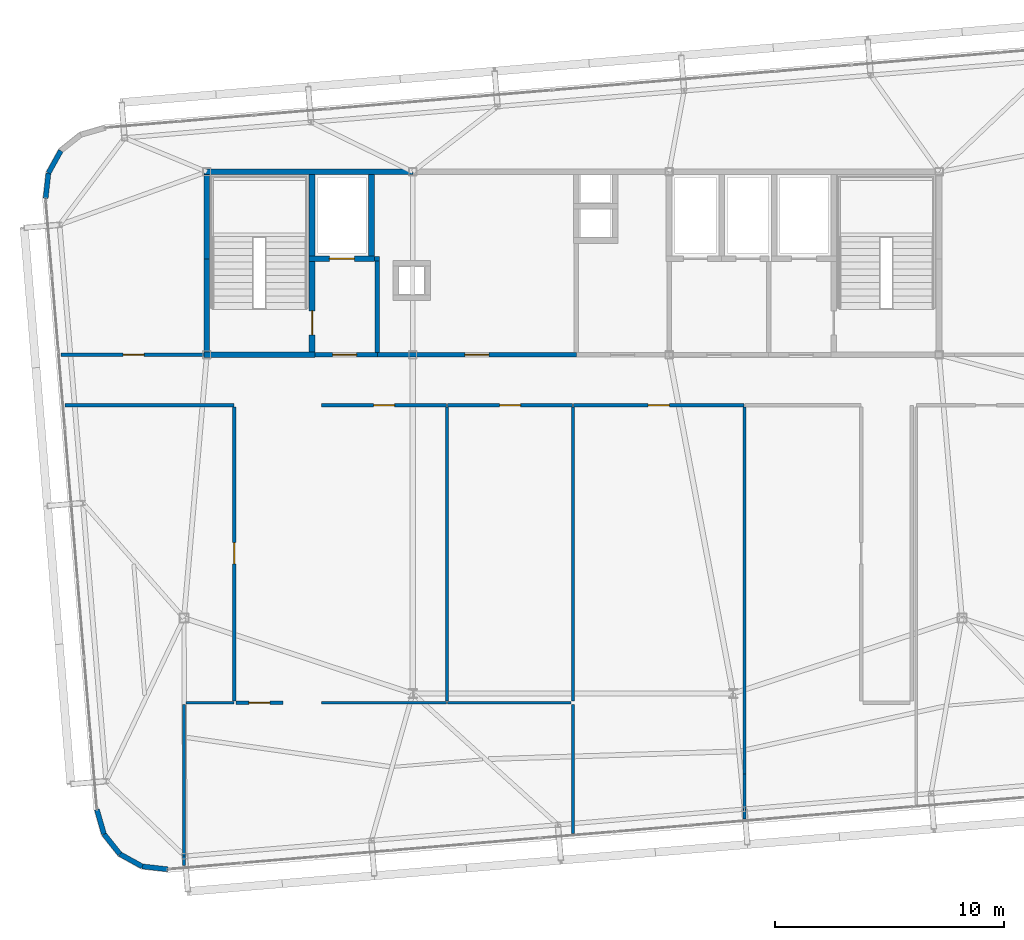
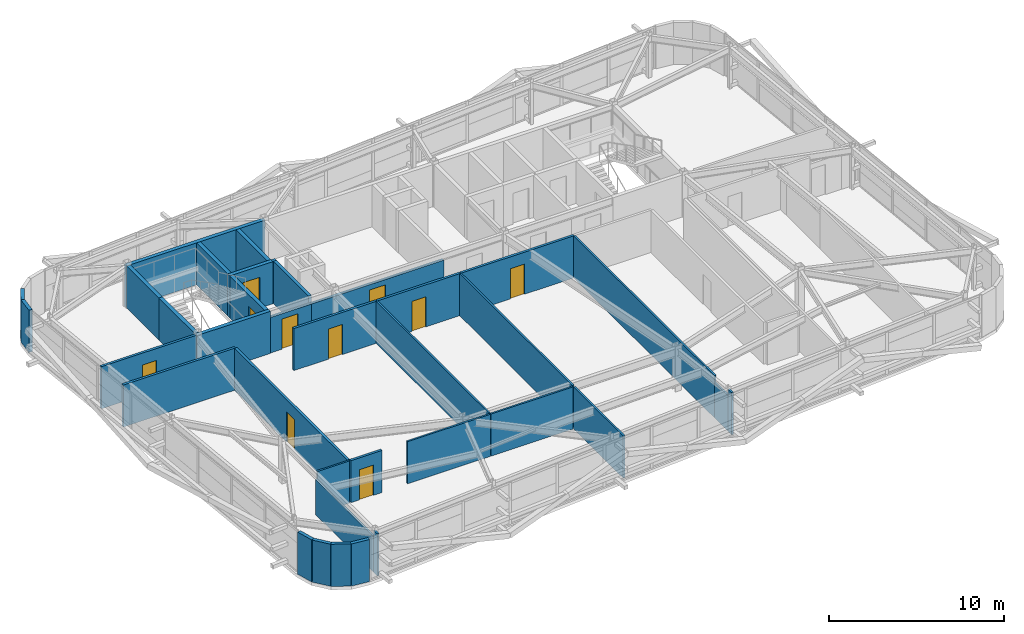
# One storey, part 42 of 46: 36 walls, 10 doors, 10 openings.
"""IFC4 building model written with IfcOpenShell, lengths in metres."""

from ifc_helpers import new_model, si_unit, direction, frame, frame_2d, origin, place, context, subcontext, project, spatial, rectangle, extrude, source, transform, mapped, material, layer, layer_set, type_object, element, fill, save


model = new_model("IFC4")

# Units and contexts
model_context = context("Model", 3, precision=1e-05, world=origin(), true_north=direction((0.0, 1.0)))
body_context = subcontext(model_context, "Body", "Model", "MODEL_VIEW")
ifc_project = project(units=[si_unit("LENGTHUNIT", "METRE"), si_unit("AREAUNIT", "SQUARE_METRE"), si_unit("VOLUMEUNIT", "CUBIC_METRE"), si_unit("PLANEANGLEUNIT", "RADIAN"), si_unit("MASSUNIT", "GRAM", prefix="KILO")], contexts=[model_context])

# Site, building, storey
site_placement = place(None, origin())
site = spatial("IfcSite", under=ifc_project, at=site_placement, CompositionType="ELEMENT")
building_placement = place(site_placement, origin())
building = spatial("IfcBuilding", under=site, at=building_placement, Name="Taldren Reach Tower", CompositionType="ELEMENT")
storey_placement = place(building_placement, frame((0.0, 0.0, 188.300048828125)))
storey = spatial("IfcBuildingStorey", under=building, at=storey_placement, Name="L57", CompositionType="ELEMENT", Elevation=188.300048828125)

# Walls
ifc_material_1 = material(Name="Pale Champagne Anodised Aluminium Cladding", Category="aluminium")
ifc_layer_1 = layer(ifc_material_1, 0.04, Name="Pale Champagne Anodised Aluminium Cladding", Category="aluminium")
ifc_material_2 = material(Name="Mineral Wool Acoustic Insulation", Category="insulation")
ifc_layer_2 = layer(ifc_material_2, 0.06, Name="Mineral Wool Acoustic Insulation", Category="insulation")
ifc_material_3 = material(Name="Steel Gr 350 (C350L0)", Category="steel")
ifc_layer_3 = layer(ifc_material_3, 0.12, Name="Steel Gr 350 (C350L0)", Category="steel")
ifc_layer_set_1 = layer_set([ifc_layer_1, ifc_layer_2, ifc_layer_3], Name="Pale Champagne Aluminium Cladding and Steel Gr 350 Stud Framing")
wall_type_1 = type_object("IfcWallType", Name="EW-CRN-220", PredefinedType="SOLIDWALL", material=ifc_layer_set_1)
shared_shape_1 = source(origin(), body_context, "Body", "SweptSolid", [
    extrude(rectangle(XDim=1.115966796875, YDim=0.219970703125, at=frame_2d((0.55810546875, 0.0))), origin(), (0.0, 0.0, 1.0), 2.929931640625),
])
for number, where, z_axis, x_axis, name in (
    (1, (12.618896484375, 32.9208984375, 0.0), (0.0, 0.0, 1.0), (-0.484100585842, -0.875012355791, 0.0), "Rounded-corner pale-metal facade wall L57-NW3"),
    (2, (12.07861328125, 31.9443359375, 0.0), (0.0, 0.0, 1.0), (-0.112232247342, -0.993682002784, 0.0), "Rounded-corner pale-metal facade wall L57-NW4"),
    (3, (14.19580078125, 4.129638671875, 0.0), (0.0, 0.0, 1.0), (0.276512002475, -0.961010464297, 0.0), "Rounded-corner pale-metal facade wall L57-SW1"),
    (4, (14.50439453125, 3.05712890625, 0.0), (0.0, 0.0, 1.0), (0.623092886403, -0.782147847222, 0.0), "Rounded-corner pale-metal facade wall L57-SW2"),
    (5, (15.19970703125, 2.184326171875, 0.0), (0.0, 0.0, 1.0), (0.875105012065, -0.483933071672, 0.0), "Rounded-corner pale-metal facade wall L57-SW3"),
    (6, (16.17626953125, 1.644287109375, 0.0), (0.0, 0.0, 1.0), (0.993657581277, -0.112448259968, 0.0), "Rounded-corner pale-metal facade wall L57-SW4"),
):
    element("IfcWall", number, at=place(storey_placement, frame(where, z_axis=z_axis, x_axis=x_axis)), inside=storey, type_object=wall_type_1, Name=name, PredefinedType="SOLIDWALL", context=body_context, shape_type="MappedRepresentation", body=[
        mapped(shared_shape_1, transform((0.0, 0.0, 0.0), scale=1.0)),
    ])

# Wall, opening, door
ifc_material_4 = material(Name="Fire-Rated Acoustic Plasterboard Stud Wall", Category="gypsum")
ifc_layer_4 = layer(ifc_material_4, 0.159912109375)
ifc_layer_set_2 = layer_set([ifc_layer_4], Name="Fire-Rated Acoustic Plasterboard Stud Wall")
wall_type_2 = type_object("IfcWallType", Name="IW-FIRE-160", PredefinedType="PARTITIONING", material=ifc_layer_set_2)
shared_shape_2 = source(origin(), body_context, "Body", "SweptSolid", [
    extrude(rectangle(XDim=2.0400390625, YDim=0.159912109375, at=frame_2d((1.02001953125, 0.0))), origin(), (0.0, 0.0, 1.0), 2.929931640625),
])
wall_1_placement = place(storey_placement, frame((22.320068359375, 8.800048828125, 0.0), z_axis=(0.0, 0.0, 1.0), x_axis=(-1.0, 0.0, 0.0)))
wall_1 = element("IfcWall", 7, at=wall_1_placement, inside=storey, type_object=wall_type_2, Name="Interior Partition Wall W-INT-L57-034", PredefinedType="PARTITIONING", context=body_context, shape_type="MappedRepresentation", body=[
    mapped(shared_shape_2, transform((0.0, 0.0, 0.0), scale=1.0)),
])
shared_shape_3 = source(origin(), body_context, "Body", "SweptSolid", [
    extrude(rectangle(XDim=0.919921875, YDim=2.10009765625, at=frame_2d((0.4599609375, 1.050048828125))), frame((0.0, 0.08984375, 0.0), z_axis=(0.0, -1.0, 0.0), x_axis=(1.0, 0.0, 0.0)), (0.0, 0.0, 1.0), 0.179931640625),
])
opening_1_placement = place(wall_1_placement, frame((0.56005859375, 0.0, 0.0)))
opening_1 = element("IfcOpeningElement", 8, at=opening_1_placement, cuts=wall_1, Name="Opening DI-092", PredefinedType="OPENING", context=body_context, shape_type="MappedRepresentation", body=[
    mapped(shared_shape_3, transform((0.0, 0.0, 0.0), scale=1.0)),
])
ifc_material_5 = material(Name="Solid-Core Timber Suite Door", Category="wood")
door_type_1 = type_object("IfcDoorType", Name="ID-INT-092", OperationType="NOTDEFINED", PredefinedType="DOOR", material=ifc_material_5)
shared_shape_4 = source(origin(), body_context, "Body", "SweptSolid", [
    extrude(rectangle(XDim=0.919921875, YDim=2.10009765625, at=frame_2d((0.4599609375, 1.050048828125))), frame((0.0, 0.02490234375, 0.0), z_axis=(0.0, -1.0, 0.0), x_axis=(1.0, 0.0, 0.0)), (0.0, 0.0, 1.0), 0.050048828125),
])
door_1_placement = place(opening_1_placement, origin())
door_1 = element("IfcDoor", 9, at=door_1_placement, inside=storey, type_object=door_type_1, Name="Interior Door DR-L57-008", OperationType="SINGLE_SWING_LEFT", OverallHeight=2.10009765625, OverallWidth=0.919921875, PredefinedType="DOOR", context=body_context, shape_type="MappedRepresentation", body=[
    mapped(shared_shape_4, transform((0.0, 0.0, 0.0), scale=1.0)),
])
fill(opening_1, door_1)

# Walls
ifc_material_6 = material(Name="Insulated Residential Stud Partition", Category="gypsum")
ifc_layer_5 = layer(ifc_material_6, 0.1201171875)
ifc_layer_set_3 = layer_set([ifc_layer_5], Name="Insulated Residential Stud Partition")
wall_type_3 = type_object("IfcWallType", Name="IW-PART-120", PredefinedType="PARTITIONING", material=ifc_layer_set_3)
shared_shape_5 = source(origin(), body_context, "Body", "SweptSolid", [
    extrude(rectangle(XDim=5.399658203125, YDim=0.1201171875, at=frame_2d((2.69970703125, 0.0))), origin(), (0.0, 0.0, 1.0), 2.929931640625),
])
wall_2_placement = place(storey_placement, frame((29.520263671875, 8.800048828125, 0.0), z_axis=(0.0, 0.0, 1.0), x_axis=(1.0, 0.0, 0.0)))
element("IfcWall", 10, at=wall_2_placement, inside=storey, type_object=wall_type_3, Name="Interior Partition Wall W-INT-L57-051", PredefinedType="PARTITIONING", context=body_context, shape_type="MappedRepresentation", body=[
    mapped(shared_shape_5, transform((0.0, 0.0, 0.0), scale=1.0)),
])
ifc_material_7 = material(Name="Concrete S50 (50 MPa)", Category="concrete")
ifc_layer_6 = layer(ifc_material_7, 0.199951171875)
ifc_layer_set_4 = layer_set([ifc_layer_6], Name="Concrete S50 (50 MPa)")
wall_type_4 = type_object("IfcWallType", Name="IW-CORE-200", PredefinedType="SOLIDWALL", material=ifc_layer_set_4)
shared_shape_6 = source(origin(), body_context, "Body", "SweptSolid", [
    extrude(rectangle(XDim=4.0, YDim=0.199951171875, at=frame_2d((2.0, 0.0))), origin(), (0.0, 0.0, 1.0), 2.929931640625),
])
wall_3_placement = place(storey_placement, frame((26.449951171875, 24.10009765625, 0.0), z_axis=(0.0, 0.0, 1.0), x_axis=(0.0, 1.0, 0.0)))
element("IfcWall", 11, at=wall_3_placement, inside=storey, type_object=wall_type_4, Name="Rear Core Shear Wall W-INT-L57-006", PredefinedType="SOLIDWALL", context=body_context, shape_type="MappedRepresentation", body=[
    mapped(shared_shape_6, transform((0.0, 0.0, 0.0), scale=1.0)),
])

# Wall, opening, door
shared_shape_7 = source(origin(), body_context, "Body", "SweptSolid", [
    extrude(rectangle(XDim=5.45947265625, YDim=0.159912109375, at=frame_2d((2.729736328125, 0.0))), origin(), (0.0, 0.0, 1.0), 2.929931640625),
])
wall_4_placement = place(storey_placement, frame((29.479736328125, 21.800048828125, 0.0), z_axis=(0.0, 0.0, 1.0), x_axis=(-1.0, 0.0, 0.0)))
wall_4 = element("IfcWall", 12, at=wall_4_placement, inside=storey, type_object=wall_type_2, Name="Interior Partition Wall W-INT-L57-038", PredefinedType="PARTITIONING", context=body_context, shape_type="MappedRepresentation", body=[
    mapped(shared_shape_7, transform((0.0, 0.0, 0.0), scale=1.0)),
])
opening_2_placement = place(wall_4_placement, frame((2.269775390625, 0.0, 0.0)))
opening_2 = element("IfcOpeningElement", 13, at=opening_2_placement, cuts=wall_4, Name="Opening DI-092", PredefinedType="OPENING", context=body_context, shape_type="MappedRepresentation", body=[
    mapped(shared_shape_3, transform((0.0, 0.0, 0.0), scale=1.0)),
])
door_2_placement = place(opening_2_placement, origin())
door_2 = element("IfcDoor", 14, at=door_2_placement, inside=storey, type_object=door_type_1, Name="Interior Door DR-L57-011", OperationType="SINGLE_SWING_RIGHT", OverallHeight=2.10009765625, OverallWidth=0.919921875, PredefinedType="DOOR", context=body_context, shape_type="MappedRepresentation", body=[
    mapped(shared_shape_4, transform((0.0, 0.0, 0.0), scale=1.0)),
])
fill(opening_2, door_2)

wall_5_placement = place(storey_placement, frame((34.979736328125, 21.800048828125, 0.0), z_axis=(0.0, 0.0, 1.0), x_axis=(-1.0, 0.0, 0.0)))
wall_5 = element("IfcWall", 15, at=wall_5_placement, inside=storey, type_object=wall_type_2, Name="Interior Partition Wall W-INT-L57-039", PredefinedType="PARTITIONING", context=body_context, shape_type="MappedRepresentation", body=[
    mapped(shared_shape_7, transform((0.0, 0.0, 0.0), scale=1.0)),
])
opening_3_placement = place(wall_5_placement, frame((2.269775390625, 0.0, 0.0)))
opening_3 = element("IfcOpeningElement", 16, at=opening_3_placement, cuts=wall_5, Name="Opening DI-092", PredefinedType="OPENING", context=body_context, shape_type="MappedRepresentation", body=[
    mapped(shared_shape_3, transform((0.0, 0.0, 0.0), scale=1.0)),
])
door_3_placement = place(opening_3_placement, origin())
door_3 = element("IfcDoor", 17, at=door_3_placement, inside=storey, type_object=door_type_1, Name="Interior Door DR-L57-012", OperationType="SINGLE_SWING_LEFT", OverallHeight=2.10009765625, OverallWidth=0.919921875, PredefinedType="DOOR", context=body_context, shape_type="MappedRepresentation", body=[
    mapped(shared_shape_4, transform((0.0, 0.0, 0.0), scale=1.0)),
])
fill(opening_3, door_3)

shared_shape_8 = source(origin(), body_context, "Body", "SweptSolid", [
    extrude(rectangle(XDim=7.45947265625, YDim=0.159912109375, at=frame_2d((3.729736328125, 0.0))), origin(), (0.0, 0.0, 1.0), 2.929931640625),
])
wall_6_placement = place(storey_placement, frame((42.479736328125, 21.800048828125, 0.0), z_axis=(0.0, 0.0, 1.0), x_axis=(-1.0, 0.0, 0.0)))
wall_6 = element("IfcWall", 18, at=wall_6_placement, inside=storey, type_object=wall_type_2, Name="Interior Partition Wall W-INT-L57-041", PredefinedType="PARTITIONING", context=body_context, shape_type="MappedRepresentation", body=[
    mapped(shared_shape_8, transform((0.0, 0.0, 0.0), scale=1.0)),
])
opening_4_placement = place(wall_6_placement, frame((3.269775390625, 0.0, 0.0)))
opening_4 = element("IfcOpeningElement", 19, at=opening_4_placement, cuts=wall_6, Name="Opening DI-092", PredefinedType="OPENING", context=body_context, shape_type="MappedRepresentation", body=[
    mapped(shared_shape_3, transform((0.0, 0.0, 0.0), scale=1.0)),
])
door_4_placement = place(opening_4_placement, origin())
door_4 = element("IfcDoor", 20, at=door_4_placement, inside=storey, type_object=door_type_1, Name="Interior Door DR-L57-014", OperationType="SINGLE_SWING_LEFT", OverallHeight=2.10009765625, OverallWidth=0.919921875, PredefinedType="DOOR", context=body_context, shape_type="MappedRepresentation", body=[
    mapped(shared_shape_4, transform((0.0, 0.0, 0.0), scale=1.0)),
])
fill(opening_4, door_4)

# Walls
ifc_material_8 = material(Name="Concrete S65 (65 MPa)", Category="concrete")
ifc_layer_7 = layer(ifc_material_8, 0.25)
ifc_layer_set_5 = layer_set([ifc_layer_7], Name="Concrete S65 (65 MPa)")
wall_type_5 = type_object("IfcWallType", Name="IW-CORE-250", PredefinedType="SHEAR", material=ifc_layer_set_5)
shared_shape_9 = source(origin(), body_context, "Body", "SweptSolid", [
    extrude(rectangle(XDim=9.125, YDim=0.25, at=frame_2d((4.5625, 0.0))), origin(), (0.0, 0.0, 1.0), 2.929931640625),
])
wall_7_placement = place(storey_placement, frame((18.875, 32.0, 0.0), z_axis=(0.0, 0.0, 1.0), x_axis=(1.0, 0.0, 0.0)))
element("IfcWall", 21, at=wall_7_placement, inside=storey, type_object=wall_type_5, Name="Rear Core Shear Wall W-CORE-L57-NORTH1", PredefinedType="SHEAR", context=body_context, shape_type="MappedRepresentation", body=[
    mapped(shared_shape_9, transform((0.0, 0.0, 0.0), scale=1.0)),
])
shared_shape_10 = source(origin(), body_context, "Body", "SweptSolid", [
    extrude(rectangle(XDim=4.074951171875, YDim=0.25, at=frame_2d((2.03759765625, 0.0))), origin(), (0.0, 0.0, 1.0), 2.929931640625),
])
wall_8_placement = place(storey_placement, frame((19.0, 24.125, 0.0), z_axis=(0.0, 0.0, 1.0), x_axis=(0.0, 1.0, 0.0)))
element("IfcWall", 22, at=wall_8_placement, inside=storey, type_object=wall_type_5, Name="Rear Core Shear Wall W-CORE-L57-WEST1", PredefinedType="SHEAR", context=body_context, shape_type="MappedRepresentation", body=[
    mapped(shared_shape_10, transform((0.0, 0.0, 0.0), scale=1.0)),
])
shared_shape_11 = source(origin(), body_context, "Body", "SweptSolid", [
    extrude(rectangle(XDim=3.675048828125, YDim=0.25, at=frame_2d((1.83740234375, 0.0))), origin(), (0.0, 0.0, 1.0), 2.929931640625),
])
wall_9_placement = place(storey_placement, frame((19.0, 28.199951171875, 0.0), z_axis=(0.0, 0.0, 1.0), x_axis=(0.0, 1.0, 0.0)))
element("IfcWall", 23, at=wall_9_placement, inside=storey, type_object=wall_type_5, Name="Rear Core Shear Wall W-CORE-L57-WEST2", PredefinedType="SHEAR", context=body_context, shape_type="MappedRepresentation", body=[
    mapped(shared_shape_11, transform((0.0, 0.0, 0.0), scale=1.0)),
])
shared_shape_12 = source(origin(), body_context, "Body", "SweptSolid", [
    extrude(rectangle(XDim=3.550048828125, YDim=0.25, at=frame_2d((1.77490234375, 0.0))), origin(), (0.0, 0.0, 1.0), 2.929931640625),
])
for number, where, z_axis, x_axis, name in (
    (24, (23.60009765625, 28.324951171875, 0.0), (0.0, 0.0, 1.0), (0.0, 1.0, 0.0), "Rear Core Shear Wall W-INT-L57-001"),
    (25, (26.199951171875, 28.324951171875, 0.0), (0.0, 0.0, 1.0), (0.0, 1.0, 0.0), "Rear Core Shear Wall W-INT-L57-005"),
):
    element("IfcWall", number, at=place(storey_placement, frame(where, z_axis=z_axis, x_axis=x_axis)), inside=storey, type_object=wall_type_5, Name=name, PredefinedType="SHEAR", context=body_context, shape_type="MappedRepresentation", body=[
        mapped(shared_shape_12, transform((0.0, 0.0, 0.0), scale=1.0)),
    ])

# Wall, opening, door
shared_shape_13 = source(origin(), body_context, "Body", "SweptSolid", [
    extrude(rectangle(XDim=3.949951171875, YDim=0.25, at=frame_2d((1.97509765625, 0.0))), origin(), (0.0, 0.0, 1.0), 2.929931640625),
])
wall_10_placement = place(storey_placement, frame((23.60009765625, 24.125, 0.0), z_axis=(0.0, 0.0, 1.0), x_axis=(0.0, 1.0, 0.0)))
wall_10 = element("IfcWall", 26, at=wall_10_placement, inside=storey, type_object=wall_type_5, Name="Rear Core Shear Wall W-INT-L57-002", PredefinedType="SHEAR", context=body_context, shape_type="MappedRepresentation", body=[
    mapped(shared_shape_13, transform((0.0, 0.0, 0.0), scale=1.0)),
])
shared_shape_14 = source(origin(), body_context, "Body", "SweptSolid", [
    extrude(rectangle(XDim=1.050048828125, YDim=2.10009765625, at=frame_2d((0.52490234375, 1.050048828125))), frame((0.0, 0.135009765625, 0.0), z_axis=(0.0, -1.0, 0.0), x_axis=(1.0, 0.0, 0.0)), (0.0, 0.0, 1.0), 0.27001953125),
])
opening_5_placement = place(wall_10_placement, frame((0.75, 0.0, 0.0)))
opening_5 = element("IfcOpeningElement", 27, at=opening_5_placement, cuts=wall_10, Name="Opening DF-105", PredefinedType="OPENING", context=body_context, shape_type="MappedRepresentation", body=[
    mapped(shared_shape_14, transform((0.0, 0.0, 0.0), scale=1.0)),
])
ifc_material_9 = material(Name="Fire-Rated Care and Stair Exit Door")
door_type_2 = type_object("IfcDoorType", Name="ID-FIRE-105", OperationType="NOTDEFINED", PredefinedType="DOOR", material=ifc_material_9)
shared_shape_15 = source(origin(), body_context, "Body", "SweptSolid", [
    extrude(rectangle(XDim=1.050048828125, YDim=2.10009765625, at=frame_2d((0.52490234375, 1.050048828125))), frame((0.0, 0.02490234375, 0.0), z_axis=(0.0, -1.0, 0.0), x_axis=(1.0, 0.0, 0.0)), (0.0, 0.0, 1.0), 0.050048828125),
])
door_5_placement = place(opening_5_placement, origin())
door_5 = element("IfcDoor", 28, at=door_5_placement, inside=storey, type_object=door_type_2, Name="Fire Exit Stair Door DR-L57-001", OperationType="SINGLE_SWING_LEFT", OverallHeight=2.10009765625, OverallWidth=1.050048828125, PredefinedType="DOOR", context=body_context, shape_type="MappedRepresentation", body=[
    mapped(shared_shape_15, transform((0.0, 0.0, 0.0), scale=1.0)),
])
fill(opening_5, door_5)

# Wall
shared_shape_16 = source(origin(), body_context, "Body", "SweptSolid", [
    extrude(rectangle(XDim=4.85009765625, YDim=0.25, at=frame_2d((2.425048828125, 0.0))), origin(), (0.0, 0.0, 1.0), 2.929931640625),
])
wall_11_placement = place(storey_placement, frame((18.875, 24.0, 0.0), z_axis=(0.0, 0.0, 1.0), x_axis=(1.0, 0.0, 0.0)))
element("IfcWall", 29, at=wall_11_placement, inside=storey, type_object=wall_type_5, Name="Rear Core Shear Wall W-INT-L57-003", PredefinedType="SHEAR", context=body_context, shape_type="MappedRepresentation", body=[
    mapped(shared_shape_16, transform((0.0, 0.0, 0.0), scale=1.0)),
])

# Wall, opening, door
shared_shape_17 = source(origin(), body_context, "Body", "SweptSolid", [
    extrude(rectangle(XDim=2.849853515625, YDim=0.25, at=frame_2d((1.4248046875, 0.0))), origin(), (0.0, 0.0, 1.0), 2.929931640625),
])
wall_12_placement = place(storey_placement, frame((23.47509765625, 28.199951171875, 0.0), z_axis=(0.0, 0.0, 1.0), x_axis=(1.0, 0.0, 0.0)))
wall_12 = element("IfcWall", 30, at=wall_12_placement, inside=storey, type_object=wall_type_5, Name="Rear Core Shear Wall W-INT-L57-004", PredefinedType="SHEAR", context=body_context, shape_type="MappedRepresentation", body=[
    mapped(shared_shape_17, transform((0.0, 0.0, 0.0), scale=1.0)),
])
shared_shape_18 = source(origin(), body_context, "Body", "SweptSolid", [
    extrude(rectangle(XDim=1.10009765625, YDim=2.14990234375, at=frame_2d((0.550048828125, 1.074951171875))), frame((0.0, 0.135009765625, 0.0), z_axis=(0.0, -1.0, 0.0), x_axis=(1.0, 0.0, 0.0)), (0.0, 0.0, 1.0), 0.27001953125),
])
opening_6_placement = place(wall_12_placement, frame((0.875, 0.0, 0.0)))
opening_6 = element("IfcOpeningElement", 31, at=opening_6_placement, cuts=wall_12, Name="Opening LD-FL1", PredefinedType="OPENING", context=body_context, shape_type="MappedRepresentation", body=[
    mapped(shared_shape_18, transform((0.0, 0.0, 0.0), scale=1.0)),
])
ifc_material_10 = material(Name="Stainless Steel Gr 316 Emergency Lift Landing Door", Category="steel")
door_type_3 = type_object("IfcDoorType", Name="LD-EMG-110", OperationType="SLIDING_TO_LEFT", PredefinedType="DOOR", material=ifc_material_10)
shared_shape_19 = source(origin(), body_context, "Body", "SweptSolid", [
    extrude(rectangle(XDim=1.10009765625, YDim=2.14990234375, at=frame_2d((0.550048828125, 1.074951171875))), frame((0.0, 0.02490234375, 0.0), z_axis=(0.0, -1.0, 0.0), x_axis=(1.0, 0.0, 0.0)), (0.0, 0.0, 1.0), 0.050048828125),
])
door_6_placement = place(opening_6_placement, origin())
door_6 = element("IfcDoor", 32, at=door_6_placement, inside=storey, type_object=door_type_3, Name="Lift Landing Door LD-FL1-L57", OperationType="SLIDING_TO_LEFT", OverallHeight=2.14990234375, OverallWidth=1.10009765625, PredefinedType="DOOR", context=body_context, shape_type="MappedRepresentation", body=[
    mapped(shared_shape_19, transform((0.0, 0.0, 0.0), scale=1.0)),
])
fill(opening_6, door_6)

shared_shape_20 = source(origin(), body_context, "Body", "SweptSolid", [
    extrude(rectangle(XDim=2.724853515625, YDim=0.199951171875, at=frame_2d((1.3623046875, 0.0))), origin(), (0.0, 0.0, 1.0), 2.469970703125),
])
wall_13_placement = place(storey_placement, frame((23.72509765625, 24.0, 0.0), z_axis=(0.0, 0.0, 1.0), x_axis=(1.0, 0.0, 0.0)))
wall_13 = element("IfcWall", 33, at=wall_13_placement, inside=storey, type_object=wall_type_4, Name="Rear Core Shear Wall W-INT-L57-007", PredefinedType="SOLIDWALL", context=body_context, shape_type="MappedRepresentation", body=[
    mapped(shared_shape_20, transform((0.0, 0.0, 0.0), scale=1.0)),
])
shared_shape_21 = source(origin(), body_context, "Body", "SweptSolid", [
    extrude(rectangle(XDim=1.050048828125, YDim=2.10009765625, at=frame_2d((0.52490234375, 1.050048828125))), frame((0.0, 0.10986328125, 0.0), z_axis=(0.0, -1.0, 0.0), x_axis=(1.0, 0.0, 0.0)), (0.0, 0.0, 1.0), 0.219970703125),
])
opening_7_placement = place(wall_13_placement, frame((0.77490234375, 0.0, 0.0)))
opening_7 = element("IfcOpeningElement", 34, at=opening_7_placement, cuts=wall_13, Name="Opening DF-105", PredefinedType="OPENING", context=body_context, shape_type="MappedRepresentation", body=[
    mapped(shared_shape_21, transform((0.0, 0.0, 0.0), scale=1.0)),
])
door_7_placement = place(opening_7_placement, origin())
door_7 = element("IfcDoor", 35, at=door_7_placement, inside=storey, type_object=door_type_2, Name="Interior Door DR-L57-002", OperationType="SINGLE_SWING_LEFT", OverallHeight=2.10009765625, OverallWidth=1.050048828125, PredefinedType="DOOR", context=body_context, shape_type="MappedRepresentation", body=[
    mapped(shared_shape_15, transform((0.0, 0.0, 0.0), scale=1.0)),
])
fill(opening_7, door_7)

shared_shape_22 = source(origin(), body_context, "Body", "SweptSolid", [
    extrude(rectangle(XDim=6.250732421875, YDim=0.159912109375, at=frame_2d((3.12548828125, 0.0))), origin(), (0.0, 0.0, 1.0), 2.929931640625),
])
wall_14_placement = place(storey_placement, frame((12.624267578125, 24.0, 0.0), z_axis=(0.0, 0.0, 1.0), x_axis=(1.0, 0.0, 0.0)))
wall_14 = element("IfcWall", 36, at=wall_14_placement, inside=storey, type_object=wall_type_2, Name="Interior Partition Wall W-INT-L57-035", PredefinedType="PARTITIONING", context=body_context, shape_type="MappedRepresentation", body=[
    mapped(shared_shape_22, transform((0.0, 0.0, 0.0), scale=1.0)),
])
opening_8_placement = place(wall_14_placement, frame((2.7177734375, 0.0, 0.0)))
opening_8 = element("IfcOpeningElement", 37, at=opening_8_placement, cuts=wall_14, Name="Opening DI-092", PredefinedType="OPENING", context=body_context, shape_type="MappedRepresentation", body=[
    mapped(shared_shape_3, transform((0.0, 0.0, 0.0), scale=1.0)),
])
door_8_placement = place(opening_8_placement, origin())
door_8 = element("IfcDoor", 38, at=door_8_placement, inside=storey, type_object=door_type_1, Name="Interior Door DR-L57-009", OperationType="SINGLE_SWING_RIGHT", OverallHeight=2.10009765625, OverallWidth=0.919921875, PredefinedType="DOOR", context=body_context, shape_type="MappedRepresentation", body=[
    mapped(shared_shape_4, transform((0.0, 0.0, 0.0), scale=1.0)),
])
fill(opening_8, door_8)

shared_shape_23 = source(origin(), body_context, "Body", "SweptSolid", [
    extrude(rectangle(XDim=12.840087890625, YDim=0.159912109375, at=frame_2d((6.419921875, 0.0))), origin(), (0.0, 0.0, 1.0), 2.929931640625),
])
wall_15_placement = place(storey_placement, frame((20.199951171875, 8.8798828125, 0.0), z_axis=(0.0, 0.0, 1.0), x_axis=(0.0, 1.0, 0.0)))
wall_15 = element("IfcWall", 39, at=wall_15_placement, inside=storey, type_object=wall_type_2, Name="Interior Partition Wall W-INT-L57-036", PredefinedType="PARTITIONING", context=body_context, shape_type="MappedRepresentation", body=[
    mapped(shared_shape_23, transform((0.0, 0.0, 0.0), scale=1.0)),
])
opening_9_placement = place(wall_15_placement, frame((5.98974609375, 0.0, 0.0)))
opening_9 = element("IfcOpeningElement", 40, at=opening_9_placement, cuts=wall_15, Name="Opening DI-092", PredefinedType="OPENING", context=body_context, shape_type="MappedRepresentation", body=[
    mapped(shared_shape_3, transform((0.0, 0.0, 0.0), scale=1.0)),
])
door_9_placement = place(opening_9_placement, origin())
door_9 = element("IfcDoor", 41, at=door_9_placement, inside=storey, type_object=door_type_1, Name="Interior Door DR-L57-010", OperationType="SINGLE_SWING_LEFT", OverallHeight=2.10009765625, OverallWidth=0.919921875, PredefinedType="DOOR", context=body_context, shape_type="MappedRepresentation", body=[
    mapped(shared_shape_4, transform((0.0, 0.0, 0.0), scale=1.0)),
])
fill(opening_9, door_9)

# Walls
shared_shape_24 = source(origin(), body_context, "Body", "SweptSolid", [
    extrude(rectangle(XDim=12.840087890625, YDim=0.1201171875, at=frame_2d((6.419921875, 0.0))), origin(), (0.0, 0.0, 1.0), 2.929931640625),
])
wall_16_placement = place(storey_placement, frame((29.5, 21.719970703125, 0.0), z_axis=(0.0, 0.0, 1.0), x_axis=(0.0, -1.0, 0.0)))
element("IfcWall", 42, at=wall_16_placement, inside=storey, type_object=wall_type_3, Name="Interior Partition Wall W-INT-L57-053", PredefinedType="PARTITIONING", context=body_context, shape_type="MappedRepresentation", body=[
    mapped(shared_shape_24, transform((0.0, 0.0, 0.0), scale=1.0)),
])
shared_shape_25 = source(origin(), body_context, "Body", "SweptSolid", [
    extrude(rectangle(XDim=0.22509765625, YDim=0.199951171875, at=frame_2d((0.112548828125, 0.0))), origin(), (0.0, 0.0, 1.0), 2.929931640625),
])
wall_17_placement = place(storey_placement, frame((26.324951171875, 28.199951171875, 0.0), z_axis=(0.0, 0.0, 1.0), x_axis=(1.0, 0.0, 0.0)))
element("IfcWall", 43, at=wall_17_placement, inside=storey, type_object=wall_type_4, Name="Rear Core Partition Wall W-INT-L57-058", PredefinedType="SOLIDWALL", context=body_context, shape_type="MappedRepresentation", body=[
    mapped(shared_shape_25, transform((0.0, 0.0, 0.0), scale=1.0)),
])
shared_shape_26 = source(origin(), body_context, "Body", "SweptSolid", [
    extrude(rectangle(XDim=7.384033203125, YDim=0.159912109375, at=frame_2d((3.69189453125, 0.0))), origin(), (0.0, 0.0, 1.0), 2.929931640625),
])
wall_18_placement = place(storey_placement, frame((20.1796875, 21.800048828125, 0.0), z_axis=(0.0, 0.0, 1.0), x_axis=(-1.0, 0.0, 0.0)))
element("IfcWall", 44, at=wall_18_placement, inside=storey, type_object=wall_type_2, Name="Interior Partition Wall W-INT-L57-037", PredefinedType="PARTITIONING", context=body_context, shape_type="MappedRepresentation", body=[
    mapped(shared_shape_26, transform((0.0, 0.0, 0.0), scale=1.0)),
])

# Wall, opening, door
shared_shape_27 = source(origin(), body_context, "Body", "SweptSolid", [
    extrude(rectangle(XDim=8.699951171875, YDim=0.199951171875, at=frame_2d((4.35009765625, 0.0))), origin(), (0.0, 0.0, 1.0), 2.469970703125),
])
wall_19_placement = place(storey_placement, frame((35.14990234375, 24.0, 0.0), z_axis=(0.0, 0.0, 1.0), x_axis=(-1.0, 0.0, 0.0)))
wall_19 = element("IfcWall", 45, at=wall_19_placement, inside=storey, type_object=wall_type_4, Name="Rear Core Shear Wall W-INT-L57-032", PredefinedType="SOLIDWALL", context=body_context, shape_type="MappedRepresentation", body=[
    mapped(shared_shape_27, transform((0.0, 0.0, 0.0), scale=1.0)),
])
opening_10_placement = place(wall_19_placement, frame((3.824951171875, 0.0, 0.0)))
opening_10 = element("IfcOpeningElement", 46, at=opening_10_placement, cuts=wall_19, Name="Opening DF-105", PredefinedType="OPENING", context=body_context, shape_type="MappedRepresentation", body=[
    mapped(shared_shape_21, transform((0.0, 0.0, 0.0), scale=1.0)),
])
door_10_placement = place(opening_10_placement, frame((1.050048828125, 0.0, 0.0), z_axis=(0.0, 0.0, 1.0), x_axis=(-1.0, 0.0, 0.0)))
door_10 = element("IfcDoor", 47, at=door_10_placement, inside=storey, type_object=door_type_2, Name="Interior Door DR-L57-006", OperationType="SINGLE_SWING_RIGHT", OverallHeight=2.10009765625, OverallWidth=1.050048828125, PredefinedType="DOOR", context=body_context, shape_type="MappedRepresentation", body=[
    mapped(shared_shape_15, transform((0.0, 0.0, 0.0), scale=1.0)),
])
fill(opening_10, door_10)

# Walls
shared_shape_28 = source(origin(), body_context, "Body", "SweptSolid", [
    extrude(rectangle(XDim=0.41796875, YDim=0.1201171875, at=frame_2d((0.208984375, 0.0))), origin(), (0.0, 0.0, 1.0), 2.929931640625),
])
wall_20_placement = place(storey_placement, frame((18.0, 1.67578125, 0.0), z_axis=(0.0, 0.0, 1.0), x_axis=(0.0, 1.0, 0.0)))
element("IfcWall", 48, at=wall_20_placement, inside=storey, type_object=wall_type_3, Name="Interior Partition Wall W-INT-L57-048", PredefinedType="PARTITIONING", context=body_context, shape_type="MappedRepresentation", body=[
    mapped(shared_shape_28, transform((0.0, 0.0, 0.0), scale=1.0)),
])
shared_shape_29 = source(origin(), body_context, "Body", "SweptSolid", [
    extrude(rectangle(XDim=6.626220703125, YDim=0.1201171875, at=frame_2d((3.31298828125, 0.0))), origin(), (0.0, 0.0, 1.0), 2.469970703125),
])
wall_21_placement = place(storey_placement, frame((18.0, 2.09375, 0.0), z_axis=(0.0, 0.0, 1.0), x_axis=(0.0, 1.0, 0.0)))
element("IfcWall", 49, at=wall_21_placement, inside=storey, type_object=wall_type_3, Name="Interior Partition Wall W-INT-L57-048 part 2", PredefinedType="PARTITIONING", context=body_context, shape_type="MappedRepresentation", body=[
    mapped(shared_shape_29, transform((0.0, 0.0, 0.0), scale=1.0)),
])
shared_shape_30 = source(origin(), body_context, "Body", "SweptSolid", [
    extrude(rectangle(XDim=2.099609375, YDim=0.1201171875, at=frame_2d((1.0498046875, 0.0))), origin(), (0.0, 0.0, 1.0), 2.929931640625),
])
wall_22_placement = place(storey_placement, frame((18.080078125, 8.800048828125, 0.0), z_axis=(0.0, 0.0, 1.0), x_axis=(1.0, 0.0, 0.0)))
element("IfcWall", 50, at=wall_22_placement, inside=storey, type_object=wall_type_3, Name="Interior Partition Wall W-INT-L57-049", PredefinedType="PARTITIONING", context=body_context, shape_type="MappedRepresentation", body=[
    mapped(shared_shape_30, transform((0.0, 0.0, 0.0), scale=1.0)),
])
shared_shape_31 = source(origin(), body_context, "Body", "SweptSolid", [
    extrude(rectangle(XDim=5.45947265625, YDim=0.1201171875, at=frame_2d((2.729736328125, 0.0))), origin(), (0.0, 0.0, 1.0), 2.929931640625),
])
wall_23_placement = place(storey_placement, frame((24.020263671875, 8.800048828125, 0.0), z_axis=(0.0, 0.0, 1.0), x_axis=(1.0, 0.0, 0.0)))
element("IfcWall", 51, at=wall_23_placement, inside=storey, type_object=wall_type_3, Name="Interior Partition Wall W-INT-L57-050", PredefinedType="PARTITIONING", context=body_context, shape_type="MappedRepresentation", body=[
    mapped(shared_shape_31, transform((0.0, 0.0, 0.0), scale=1.0)),
])
shared_shape_32 = source(origin(), body_context, "Body", "SweptSolid", [
    extrude(rectangle(XDim=5.6298828125, YDim=0.1201171875, at=frame_2d((2.81494140625, 0.0))), origin(), (0.0, 0.0, 1.0), 2.929931640625),
])
wall_24_placement = place(storey_placement, frame((35.0, 8.719970703125, 0.0), z_axis=(0.0, 0.0, 1.0), x_axis=(0.0, -1.0, 0.0)))
element("IfcWall", 52, at=wall_24_placement, inside=storey, type_object=wall_type_3, Name="Interior Partition Wall W-INT-L57-052", PredefinedType="PARTITIONING", context=body_context, shape_type="MappedRepresentation", body=[
    mapped(shared_shape_32, transform((0.0, 0.0, 0.0), scale=1.0)),
])
shared_shape_33 = source(origin(), body_context, "Body", "SweptSolid", [
    extrude(rectangle(XDim=12.8359375, YDim=0.1201171875, at=frame_2d((6.41796875, 0.0))), origin(), (0.0, 0.0, 1.0), 2.929931640625),
])
wall_25_placement = place(storey_placement, frame((35.0, 21.718017578125, 0.0), z_axis=(0.0, 0.0, 1.0), x_axis=(0.0, -1.0, 0.0)))
element("IfcWall", 53, at=wall_25_placement, inside=storey, type_object=wall_type_3, Name="Interior Partition Wall W-INT-L57-054", PredefinedType="PARTITIONING", context=body_context, shape_type="MappedRepresentation", body=[
    mapped(shared_shape_33, transform((0.0, 0.0, 0.0), scale=1.0)),
])
shared_shape_34 = source(origin(), body_context, "Body", "SweptSolid", [
    extrude(rectangle(XDim=16.041748046875, YDim=0.1201171875, at=frame_2d((8.02099609375, 0.0))), origin(), (0.0, 0.0, 1.0), 2.929931640625),
])
wall_26_placement = place(storey_placement, frame((42.5, 21.719970703125, 0.0), z_axis=(0.0, 0.0, 1.0), x_axis=(0.0, -1.0, 0.0)))
element("IfcWall", 54, at=wall_26_placement, inside=storey, type_object=wall_type_3, Name="Interior Partition Wall W-INT-L57-055", PredefinedType="PARTITIONING", context=body_context, shape_type="MappedRepresentation", body=[
    mapped(shared_shape_34, transform((0.0, 0.0, 0.0), scale=1.0)),
])
shared_shape_35 = source(origin(), body_context, "Body", "SweptSolid", [
    extrude(rectangle(XDim=1.535888671875, YDim=0.1201171875, at=frame_2d((0.76806640625, 0.0))), origin(), (0.0, 0.0, 1.0), 2.469970703125),
])
wall_27_placement = place(storey_placement, frame((42.5, 5.67822265625, 0.0), z_axis=(0.0, 0.0, 1.0), x_axis=(0.0, -1.0, 0.0)))
element("IfcWall", 55, at=wall_27_placement, inside=storey, type_object=wall_type_3, Name="Interior Partition Wall W-INT-L57-055 part 2", PredefinedType="PARTITIONING", context=body_context, shape_type="MappedRepresentation", body=[
    mapped(shared_shape_35, transform((0.0, 0.0, 0.0), scale=1.0)),
])
shared_shape_36 = source(origin(), body_context, "Body", "SweptSolid", [
    extrude(rectangle(XDim=0.422607421875, YDim=0.1201171875, at=frame_2d((0.21142578125, 0.0))), origin(), (0.0, 0.0, 1.0), 2.929931640625),
])
wall_28_placement = place(storey_placement, frame((42.5, 4.142333984375, 0.0), z_axis=(0.0, 0.0, 1.0), x_axis=(0.0, -1.0, 0.0)))
element("IfcWall", 56, at=wall_28_placement, inside=storey, type_object=wall_type_3, Name="Interior Partition Wall W-INT-L57-055 part 3", PredefinedType="PARTITIONING", context=body_context, shape_type="MappedRepresentation", body=[
    mapped(shared_shape_36, transform((0.0, 0.0, 0.0), scale=1.0)),
])

save(model, "model.ifc")
